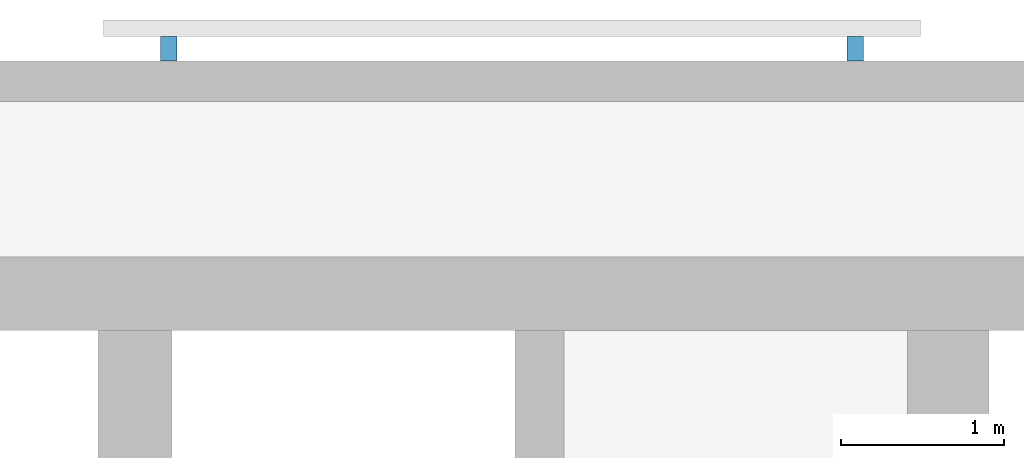
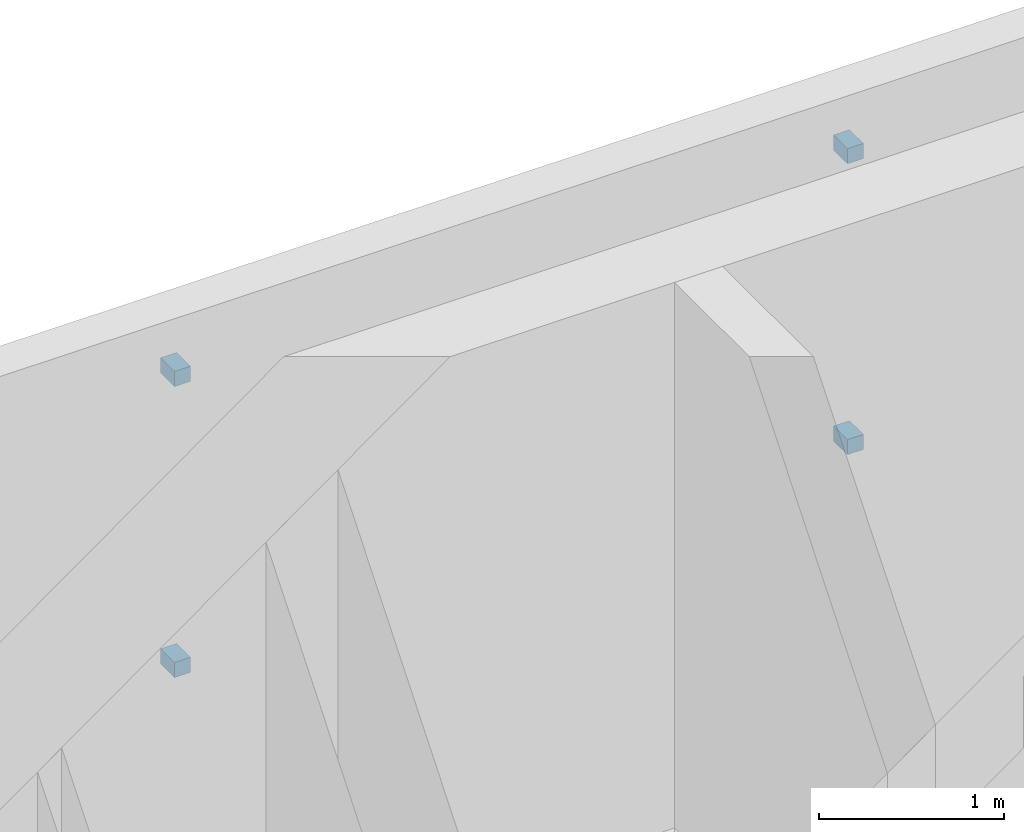
# One storey, part 12 of 15: 4 discrete accessories.
"""IFC4 building model written with IfcOpenShell, lengths in metres."""

import ifcopenshell
import ifcopenshell.guid

model = None  # the IFC model being written
_history = None  # IfcOwnerHistory: only IFC2X3 demands one
_inside = {}  # id of a spatial element -> (the spatial element, [elements in it])
_under = {}  # id of a project, library or spatial element -> (it, [spatial elements below it])
_declared = {}  # id of a project -> (the project, [libraries it declares])
_typed = {}  # id of a type object -> (the type object, [elements of that type])
_made_of = {}  # id of a material, layer set ... -> (it, [elements and type objects made of it])


def new_model(schema):
    """Start an empty IFC model of exactly this schema.

    Asked for "IFC4X3", IfcOpenShell would pick the latest addendum, in which some entities
    have other attributes; the version numbers below select the first issue.
    IFC2X3 requires an IfcOwnerHistory on every rooted entity: one is made here for all.
    """
    global model, _history
    if schema == "IFC4X3":
        model = ifcopenshell.file(schema_version=(4, 3, 0, 0))
    else:
        model = ifcopenshell.file(schema=schema)
    _inside.clear()
    _under.clear()
    _declared.clear()
    _typed.clear()
    _made_of.clear()
    _history = None
    if model.schema == "IFC2X3":
        org = make("IfcOrganization", Name="unknown")
        user = make(
            "IfcPersonAndOrganization",
            ThePerson=make("IfcPerson", FamilyName="unknown"),
            TheOrganization=org,
        )
        app = make(
            "IfcApplication",
            ApplicationDeveloper=org,
            Version="unknown",
            ApplicationFullName="unknown",
            ApplicationIdentifier="unknown",
        )
        _history = make(
            "IfcOwnerHistory",
            OwningUser=user,
            OwningApplication=app,
            ChangeAction="ADDED",
            CreationDate=0,
        )
    return model


def make(cls, **values):
    """One entity of the class cls with the attributes given. An attribute that is None is left unset."""
    return model.create_entity(
        cls, **{name: value for name, value in values.items() if value is not None}
    )


def rooted(cls, **values):
    """An entity with a GlobalId (a new one), such as an element, a storey or a relation."""
    return make(cls, GlobalId=ifcopenshell.guid.new(), OwnerHistory=_history, **values)


def si_unit(unit_type, name, prefix=None):
    """IfcSIUnit, for example si_unit("LENGTHUNIT", "METRE", prefix="MILLI")."""
    return make("IfcSIUnit", UnitType=unit_type, Prefix=prefix, Name=name)


def assignment(units):
    """IfcUnitAssignment: the units of a project."""
    return None if units is None else make("IfcUnitAssignment", Units=units)


def point(xyz):
    """IfcCartesianPoint."""
    return None if xyz is None else make("IfcCartesianPoint", Coordinates=xyz)


def direction(xyz):
    """IfcDirection."""
    return None if xyz is None else make("IfcDirection", DirectionRatios=xyz)


def frame(location, z_axis=None, x_axis=None):
    """IfcAxis2Placement3D, a coordinate frame: its origin and axes. An axis left out is left unset."""
    return make(
        "IfcAxis2Placement3D",
        Location=point(location),
        Axis=direction(z_axis),
        RefDirection=direction(x_axis),
    )


def frame_2d(location, x_axis=None):
    """IfcAxis2Placement2D, a coordinate frame in the plane: its origin and x axis."""
    return make(
        "IfcAxis2Placement2D", Location=point(location), RefDirection=direction(x_axis)
    )


def origin():
    """The frame at (0, 0, 0) with its axes left unset."""
    return frame((0.0, 0.0, 0.0))


def origin_2d():
    """The frame at (0, 0) in the plane with its x axis left unset."""
    return frame_2d((0.0, 0.0))


def place(relative_to, where):
    """IfcLocalPlacement: puts the frame where relative to a parent placement (None: the world)."""
    return make(
        "IfcLocalPlacement", PlacementRelTo=relative_to, RelativePlacement=where
    )


def context(
    kind, dimensions, precision=None, world=None, true_north=None, identifier=None
):
    """IfcGeometricRepresentationContext, for example the 3D "Model" context."""
    return make(
        "IfcGeometricRepresentationContext",
        ContextIdentifier=identifier,
        ContextType=kind,
        CoordinateSpaceDimension=dimensions,
        Precision=precision,
        WorldCoordinateSystem=world,
        TrueNorth=true_north,
    )


def subcontext(parent, identifier, kind, view, scale=None):
    """IfcGeometricRepresentationSubContext, for example "Body" below "Model"."""
    return make(
        "IfcGeometricRepresentationSubContext",
        ContextIdentifier=identifier,
        ContextType=kind,
        ParentContext=parent,
        TargetScale=scale,
        TargetView=view,
    )


def project(units=None, contexts=None):
    """IfcProject with its units and contexts."""
    return rooted(
        "IfcProject",
        Name="project",
        RepresentationContexts=contexts,
        UnitsInContext=assignment(units),
    )


def spatial(cls, under=None, at=None, **own):
    """A site, building, storey or space (cls), placed at a placement, below another one or the project."""
    s = rooted(cls, ObjectPlacement=at, **own)
    if under is not None:
        _under.setdefault(under.id(), (under, []))[1].append(s)
    return s


def profile(cls, at=None, kind="AREA", **sizes):
    """A parametric profile (cls). Its sizes go by their IFC names, for example OverallWidth=200.0."""
    return make(cls, ProfileType=kind, Position=at, **sizes)


def rectangle(**sizes):
    """IfcRectangleProfileDef."""
    return profile("IfcRectangleProfileDef", **sizes)


def extrude(swept, where, along, depth):
    """IfcExtrudedAreaSolid: the profile swept, set in the frame where, extruded along a direction by depth."""
    return make(
        "IfcExtrudedAreaSolid",
        SweptArea=swept,
        Position=where,
        ExtrudedDirection=direction(along),
        Depth=depth,
    )


def shape(context_of_items, identifier, shape_type, items):
    """IfcShapeRepresentation: the items that make up one representation, for example the "Body"."""
    return make(
        "IfcShapeRepresentation",
        ContextOfItems=context_of_items,
        RepresentationIdentifier=identifier,
        RepresentationType=shape_type,
        Items=items,
    )


def material(Name=None, Category=None):
    """IfcMaterial."""
    return make("IfcMaterial", Name=Name, Category=Category)


def made_of(thing, what):
    """Note that an element or type object is made of a material, layer set ...; save() writes the relation."""
    if what is not None:
        _made_of.setdefault(what.id(), (what, []))[1].append(thing)
    return thing


def type_object(cls, material=None, **own):
    """A type object (cls), such as IfcWallType, which elements share."""
    return made_of(rooted(cls, **own), material)


def element(
    cls,
    number,
    at=None,
    inside=None,
    cuts=None,
    type_object=None,
    material=None,
    context=None,
    identifier="Body",
    shape_type=None,
    held_by="IfcProductDefinitionShape",
    body=None,
    shapes=None,
    **own,
):
    """One element of the class cls, such as IfcWall. Its Tag is "e" and its number.

    at: its placement. inside: the storey or other place that contains it. cuts: it is an
    opening in that element (IfcRelVoidsElement). A single representation is given by context,
    identifier, shape_type and body (its items); several are given by shapes. held_by: the class
    of the entity that holds the representations. save() writes the other relations.
    """
    e = rooted(cls, Tag="e%d" % number, ObjectPlacement=at, **own)
    if body is not None:
        shapes = [shape(context, identifier, shape_type, body)]
    if shapes is not None:
        e.Representation = make(held_by, Representations=shapes)
    if inside is not None:
        _inside.setdefault(inside.id(), (inside, []))[1].append(e)
    if cuts is not None:
        rooted(
            "IfcRelVoidsElement", RelatingBuildingElement=cuts, RelatedOpeningElement=e
        )
    if type_object is not None:
        _typed.setdefault(type_object.id(), (type_object, []))[1].append(e)
    return made_of(e, material)


def aggregate(whole, parts):
    """IfcRelAggregates: a whole, such as a stair, and the parts it consists of."""
    return rooted("IfcRelAggregates", RelatingObject=whole, RelatedObjects=parts)


def save(model, path):
    """Write the relations noted so far, then the file.

    IfcRelAggregates (storeys below a building ...), IfcRelContainedInSpatialStructure (elements
    in a storey), IfcRelDefinesByType, IfcRelAssociatesMaterial and IfcRelDeclares: one each for
    every whole, place, type object, material and project.
    """
    for whole, parts in _under.values():
        aggregate(whole, parts)
    for where, things in _inside.values():
        rooted(
            "IfcRelContainedInSpatialStructure",
            RelatedElements=things,
            RelatingStructure=where,
        )
    for kind, things in _typed.values():
        rooted("IfcRelDefinesByType", RelatedObjects=things, RelatingType=kind)
    for what, things in _made_of.values():
        rooted("IfcRelAssociatesMaterial", RelatedObjects=things, RelatingMaterial=what)
    for by, libraries in _declared.values():
        rooted("IfcRelDeclares", RelatingContext=by, RelatedDefinitions=libraries)
    model.write(path)


model = new_model("IFC4")

# Units and contexts
model_context = context("Model", 3, precision=1e-05, world=origin(), true_north=direction((0.0, 1.0)))
body_context = subcontext(model_context, "Body", "Model", "MODEL_VIEW")
ifc_project = project(units=[si_unit("LENGTHUNIT", "METRE"), si_unit("AREAUNIT", "SQUARE_METRE"), si_unit("VOLUMEUNIT", "CUBIC_METRE"), si_unit("PLANEANGLEUNIT", "RADIAN"), si_unit("MASSUNIT", "GRAM", prefix="KILO")], contexts=[model_context])

# Site, building, storey
site_placement = place(None, origin())
site = spatial("IfcSite", under=ifc_project, at=site_placement, CompositionType="ELEMENT")
building_placement = place(site_placement, origin())
building = spatial("IfcBuilding", under=site, at=building_placement, Name="Torana Hotel and Residences", CompositionType="ELEMENT")
storey_placement = place(building_placement, frame((0.0, 0.0, 70.800048828125)))
storey = spatial("IfcBuildingStorey", under=building, at=storey_placement, Name="L17", CompositionType="ELEMENT", Elevation=70.800048828125)

# Discrete accessories
ifc_material = material(Name="Steel S355", Category="steel")
discrete_accessory_type = type_object("IfcDiscreteAccessoryType", Name="SCREEN BRACKET 100", PredefinedType="BRACKET", material=ifc_material)
for number, where, z_axis, x_axis, name in (
    (1, (23.681396484375, 1.27490234375, 0.75), (0.0, 0.0, 1.0), (-1.0, 0.0, 0.0), "Screen bracket L17"),
    (2, (23.681396484375, 1.27490234375, 2.669921875), (0.0, 0.0, 1.0), (-1.0, 0.0, 0.0), "Screen bracket L17"),
    (3, (19.4814453125, 1.27490234375, 0.75), (0.0, 0.0, 1.0), (-1.0, 0.0, 0.0), "Screen bracket L17"),
    (4, (19.4814453125, 1.27490234375, 2.669921875), (0.0, 0.0, 1.0), (-1.0, 0.0, 0.0), "Screen bracket L17"),
):
    element("IfcDiscreteAccessory", number, at=place(storey_placement, frame(where, z_axis=z_axis, x_axis=x_axis)), inside=storey, type_object=discrete_accessory_type, Name=name, PredefinedType="BRACKET", context=body_context, shape_type="SweptSolid", body=[
        extrude(rectangle(XDim=0.10009765625, YDim=0.14990234375, at=origin_2d()), origin(), (0.0, 0.0, 1.0), 0.10009765625),
    ])

save(model, "model.ifc")
